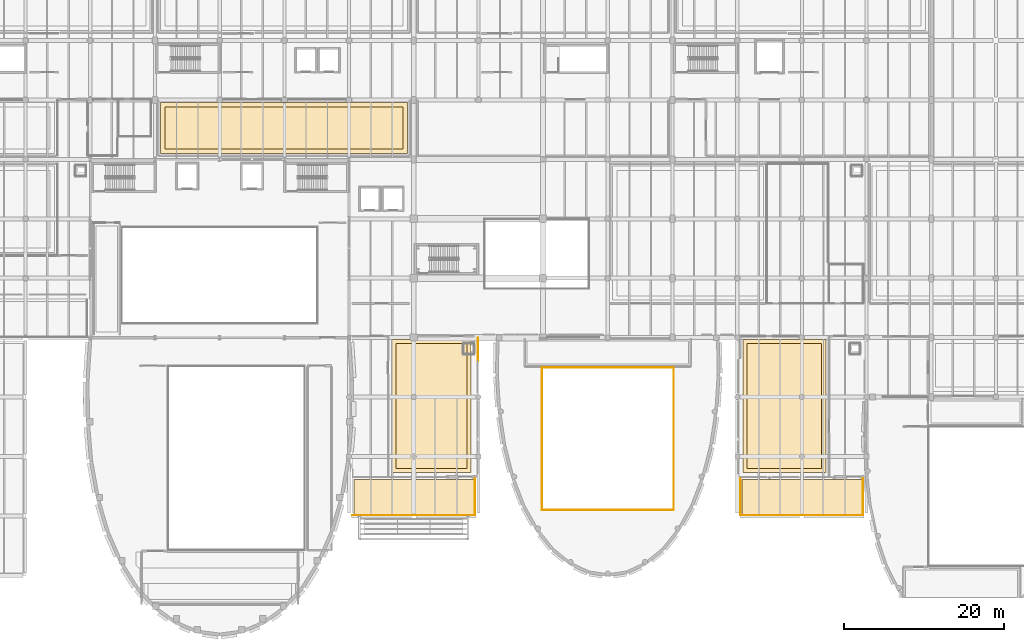
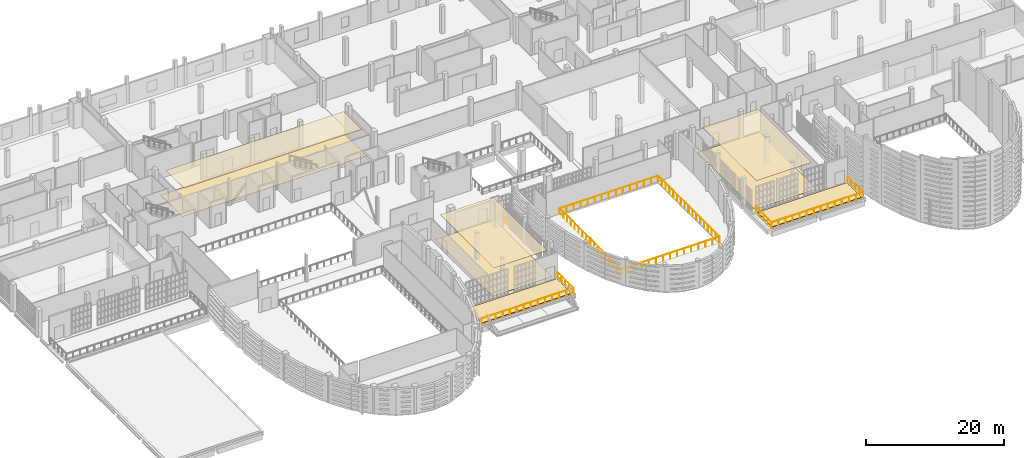
# One storey, part 99 of 104: 8 coverings, 8 railings.
"""IFC4 building model written with IfcOpenShell, lengths in metres."""

from ifc_helpers import new_model, si_unit, direction, frame, origin, origin_2d, place, context, subcontext, project, spatial, polyline, circle, outline, extrude, material, layer, layer_set, type_object, element, save


model = new_model("IFC4")

# Units and contexts
model_context = context("Model", 3, precision=1e-05, world=origin(), true_north=direction((0.0, 1.0)))
body_context = subcontext(model_context, "Body", "Model", "MODEL_VIEW")
ifc_project = project(units=[si_unit("LENGTHUNIT", "METRE"), si_unit("AREAUNIT", "SQUARE_METRE"), si_unit("VOLUMEUNIT", "CUBIC_METRE"), si_unit("PLANEANGLEUNIT", "RADIAN"), si_unit("MASSUNIT", "GRAM", prefix="KILO")], contexts=[model_context])

# Site, building, storey
site_placement = place(None, origin())
site = spatial("IfcSite", under=ifc_project, at=site_placement, CompositionType="ELEMENT")
building_placement = place(site_placement, origin())
building = spatial("IfcBuilding", under=site, at=building_placement, Name="Kaelora Sail Theatre", CompositionType="ELEMENT")
storey_placement = place(building_placement, frame((0.0, 0.0, 5.39990234375)))
storey = spatial("IfcBuildingStorey", under=building, at=storey_placement, Name="L01", CompositionType="ELEMENT", Elevation=5.39990234375)

# Coverings
ifc_material_1 = material(Name="Micro-perforated timber acoustic reflector", Category="wood")
ifc_layer_1 = layer(ifc_material_1, 0.050048828125)
ifc_layer_set_1 = layer_set([ifc_layer_1], Name="Micro-perforated timber acoustic reflector")
covering_type_1 = type_object("IfcCoveringType", Name="ARC-COV-CLG-AC-50", PredefinedType="CEILING", material=ifc_layer_set_1)
covering_1_placement = place(storey_placement, frame((0.0, 0.0, 4.489990234375)))
element("IfcCovering", 1, at=covering_1_placement, inside=storey, type_object=covering_type_1, Name="Acoustic ceiling L01-FOY-INTER1", PredefinedType="CEILING", context=body_context, shape_type="SweptSolid", body=[
    extrude(outline(polyline([(64.050048828125, 44.64990234375), (72.949951171875, 44.64990234375), (72.949951171875, 60.25), (64.050048828125, 60.25), (64.050048828125, 44.64990234375)])), origin(), (0.0, 0.0, 1.0), 0.050048828125),
])
covering_2_placement = place(storey_placement, frame((0.0, 0.0, 4.55517578125)))
element("IfcCovering", 2, at=covering_2_placement, inside=storey, type_object=covering_type_1, Name="Acoustic ceiling L01-FOY-INTER2", PredefinedType="CEILING", context=body_context, shape_type="SweptSolid", body=[
    extrude(outline(polyline([(108.050048828125, 44.64990234375), (117.35009765625, 44.64990234375), (117.35009765625, 60.25), (108.050048828125, 60.25), (108.050048828125, 44.64990234375)])), origin(), (0.0, 0.0, 1.0), 0.0498046875),
])
covering_3_placement = place(storey_placement, frame((0.0, 0.0, 4.489990234375)))
element("IfcCovering", 3, at=covering_3_placement, inside=storey, type_object=covering_type_1, Name="Acoustic ceiling L01-WIG-MAKEUP", PredefinedType="CEILING", context=body_context, shape_type="SweptSolid", body=[
    extrude(outline(polyline([(35.14990234375, 84.64990234375), (64.949951171875, 84.64990234375), (64.949951171875, 89.89990234375), (35.14990234375, 89.89990234375), (35.14990234375, 84.64990234375)])), origin(), (0.0, 0.0, 1.0), 0.050048828125),
])
ifc_material_2 = material(Name="Sprung West African iroko stage and dance floor", Category="timber")
ifc_layer_2 = layer(ifc_material_2, 0.028076171875)
ifc_layer_set_2 = layer_set([ifc_layer_2], Name="Sprung West African iroko stage and dance floor")
covering_type_2 = type_object("IfcCoveringType", Name="ARC-COV-FLR-OAK-28", PredefinedType="FLOORING", material=ifc_layer_set_2)
covering_4_placement = place(storey_placement, origin())
element("IfcCovering", 4, at=covering_4_placement, inside=storey, type_object=covering_type_2, Name="Architectural flooring L01-WIG-MAKEUP", PredefinedType="FLOORING", context=body_context, shape_type="SweptSolid", body=[
    extrude(outline(polyline([(34.60009765625, 84.10009765625), (65.5, 84.10009765625), (65.5, 90.449951171875), (34.60009765625, 90.449951171875), (34.60009765625, 84.10009765625)])), origin(), (0.0, 0.0, 1.0), 0.028076171875),
])
ifc_material_3 = material(Name="Polished basalt-terrazzo foyer flooring", Category="masonry")
ifc_layer_3 = layer(ifc_material_3, 0.031982421875)
ifc_layer_set_3 = layer_set([ifc_layer_3], Name="Polished basalt-terrazzo foyer flooring")
covering_type_3 = type_object("IfcCoveringType", Name="ARC-COV-FLR-TRZ-32", PredefinedType="FLOORING", material=ifc_layer_set_3)
covering_5_placement = place(storey_placement, origin())
element("IfcCovering", 5, at=covering_5_placement, inside=storey, type_object=covering_type_3, Name="Architectural flooring L01-FOY-INTER1", PredefinedType="FLOORING", context=body_context, shape_type="SweptSolid", body=[
    extrude(outline(polyline([(63.5, 44.10009765625), (73.5, 44.10009765625), (73.5, 60.800048828125), (63.5, 60.800048828125), (63.5, 44.10009765625)])), origin(), (0.0, 0.0, 1.0), 0.031982421875),
])
covering_6_placement = place(storey_placement, origin())
element("IfcCovering", 6, at=covering_6_placement, inside=storey, type_object=covering_type_3, Name="Architectural flooring L01-FOY-INTER2", PredefinedType="FLOORING", context=body_context, shape_type="SweptSolid", body=[
    extrude(outline(polyline([(107.5, 44.10009765625), (117.89990234375, 44.10009765625), (117.89990234375, 60.800048828125), (107.5, 60.800048828125), (107.5, 44.10009765625)])), origin(), (0.0, 0.0, 1.0), 0.031982421875),
])
ifc_material_4 = material(Name="Planted roof garden and green foliage terrace bed", Category="earth")
ifc_layer_4 = layer(ifc_material_4, 0.1201171875)
ifc_layer_set_4 = layer_set([ifc_layer_4], Name="Planted roof garden and green foliage terrace bed")
covering_type_4 = type_object("IfcCoveringType", Name="ARC-COV-GRN", PredefinedType="ROOFING", material=ifc_layer_set_4)
covering_7_placement = place(storey_placement, origin())
element("IfcCovering", 7, at=covering_7_placement, inside=storey, type_object=covering_type_4, Name="First Step Central Inter-Sail Planted Podium Terrace Planted Garden Bed", PredefinedType="ROOFING", context=body_context, shape_type="SweptSolid", body=[
    extrude(outline(polyline([(58.800048828125, 38.949951171875), (73.800048828125, 38.949951171875), (73.800048828125, 43.22998046875), (58.800048828125, 43.22998046875), (58.800048828125, 38.949951171875)])), origin(), (0.0, 0.0, 1.0), 0.1201171875),
])
covering_8_placement = place(storey_placement, origin())
element("IfcCovering", 8, at=covering_8_placement, inside=storey, type_object=covering_type_4, Name="First Step East Inter-Sail Planted Podium Terrace Planted Garden Bed", PredefinedType="ROOFING", context=body_context, shape_type="SweptSolid", body=[
    extrude(outline(polyline([(107.39990234375, 38.949951171875), (122.39990234375, 38.949951171875), (122.39990234375, 43.22998046875), (107.39990234375, 43.22998046875), (107.39990234375, 38.949951171875)])), origin(), (0.0, 0.0, 1.0), 0.1201171875),
])

# Railings
ifc_material_5 = material(Name="Acoustic bronze and laminated glass balcony balustrade", Category="glass")
railing_type_1 = type_object("IfcRailingType", Name="ARC-RL-BAL", PredefinedType="BALUSTRADE", material=ifc_material_5)
railing_1_placement = place(storey_placement, frame((82.340087890625, 48.300048828125, 0.0)))
element("IfcRailing", 9, at=railing_1_placement, inside=storey, type_object=railing_type_1, Name="Interior void balustrade AUD-S1 south", PredefinedType="BALUSTRADE", context=body_context, shape_type="SweptSolid", body=[
    extrude(circle(Radius=0.02392578125, at=origin_2d()), frame((0.0, 0.0, 1.076171875), z_axis=(0.0, -1.0, 0.0), x_axis=(1.0, 0.0, 0.0)), (0.0, 0.0, 1.0), 8.860107421875),
    extrude(circle(Radius=0.02392578125, at=origin_2d()), frame((0.0, -8.860107421875, 1.076171875), z_axis=(1.0, 0.0, 0.0), x_axis=(0.0, 1.0, 0.0)), (0.0, 0.0, 1.0), 16.52001953125),
    extrude(circle(Radius=0.02392578125, at=origin_2d()), frame((16.52001953125, -8.860107421875, 1.076171875), z_axis=(0.0, 1.0, 0.0), x_axis=(-1.0, 0.0, 0.0)), (0.0, 0.0, 1.0), 8.860107421875),
    extrude(circle(Radius=0.02099609375, at=origin_2d()), origin(), (0.0, 0.0, 1.0), 1.052001953125),
    extrude(circle(Radius=0.02099609375, at=origin_2d()), frame((0.0, -1.107421875, 0.0)), (0.0, 0.0, 1.0), 1.052001953125),
    extrude(circle(Radius=0.02099609375, at=origin_2d()), frame((0.0, -2.215087890625, 0.0)), (0.0, 0.0, 1.0), 1.052001953125),
    extrude(circle(Radius=0.02099609375, at=origin_2d()), frame((0.0, -3.322509765625, 0.0)), (0.0, 0.0, 1.0), 1.052001953125),
    extrude(circle(Radius=0.02099609375, at=origin_2d()), frame((0.0, -4.43017578125, 0.0)), (0.0, 0.0, 1.0), 1.052001953125),
    extrude(circle(Radius=0.02099609375, at=origin_2d()), frame((0.0, -5.53759765625, 0.0)), (0.0, 0.0, 1.0), 1.052001953125),
    extrude(circle(Radius=0.02099609375, at=origin_2d()), frame((0.0, -6.64501953125, 0.0)), (0.0, 0.0, 1.0), 1.052001953125),
    extrude(circle(Radius=0.02099609375, at=origin_2d()), frame((0.0, -7.752685546875, 0.0)), (0.0, 0.0, 1.0), 1.052001953125),
    extrude(circle(Radius=0.02099609375, at=origin_2d()), frame((0.0, -8.860107421875, 0.0)), (0.0, 0.0, 1.0), 1.052001953125),
    extrude(circle(Radius=0.02099609375, at=origin_2d()), frame((1.179931640625, -8.860107421875, 0.0)), (0.0, 0.0, 1.0), 1.052001953125),
    extrude(circle(Radius=0.02099609375, at=origin_2d()), frame((2.360107421875, -8.860107421875, 0.0)), (0.0, 0.0, 1.0), 1.052001953125),
    extrude(circle(Radius=0.02099609375, at=origin_2d()), frame((3.5400390625, -8.860107421875, 0.0)), (0.0, 0.0, 1.0), 1.052001953125),
    extrude(circle(Radius=0.02099609375, at=origin_2d()), frame((4.719970703125, -8.860107421875, 0.0)), (0.0, 0.0, 1.0), 1.052001953125),
    extrude(circle(Radius=0.02099609375, at=origin_2d()), frame((5.89990234375, -8.860107421875, 0.0)), (0.0, 0.0, 1.0), 1.052001953125),
    extrude(circle(Radius=0.02099609375, at=origin_2d()), frame((7.080078125, -8.860107421875, 0.0)), (0.0, 0.0, 1.0), 1.052001953125),
    extrude(circle(Radius=0.02099609375, at=origin_2d()), frame((8.260009765625, -8.860107421875, 0.0)), (0.0, 0.0, 1.0), 1.052001953125),
    extrude(circle(Radius=0.02099609375, at=origin_2d()), frame((9.43994140625, -8.860107421875, 0.0)), (0.0, 0.0, 1.0), 1.052001953125),
    extrude(circle(Radius=0.02099609375, at=origin_2d()), frame((10.6201171875, -8.860107421875, 0.0)), (0.0, 0.0, 1.0), 1.052001953125),
    extrude(circle(Radius=0.02099609375, at=origin_2d()), frame((11.800048828125, -8.860107421875, 0.0)), (0.0, 0.0, 1.0), 1.052001953125),
    extrude(circle(Radius=0.02099609375, at=origin_2d()), frame((12.97998046875, -8.860107421875, 0.0)), (0.0, 0.0, 1.0), 1.052001953125),
    extrude(circle(Radius=0.02099609375, at=origin_2d()), frame((14.159912109375, -8.860107421875, 0.0)), (0.0, 0.0, 1.0), 1.052001953125),
    extrude(circle(Radius=0.02099609375, at=origin_2d()), frame((15.340087890625, -8.860107421875, 0.0)), (0.0, 0.0, 1.0), 1.052001953125),
    extrude(circle(Radius=0.02099609375, at=origin_2d()), frame((16.52001953125, -8.860107421875, 0.0)), (0.0, 0.0, 1.0), 1.052001953125),
    extrude(circle(Radius=0.02099609375, at=origin_2d()), frame((16.52001953125, -7.752685546875, 0.0)), (0.0, 0.0, 1.0), 1.052001953125),
    extrude(circle(Radius=0.02099609375, at=origin_2d()), frame((16.52001953125, -6.64501953125, 0.0)), (0.0, 0.0, 1.0), 1.052001953125),
    extrude(circle(Radius=0.02099609375, at=origin_2d()), frame((16.52001953125, -5.53759765625, 0.0)), (0.0, 0.0, 1.0), 1.052001953125),
    extrude(circle(Radius=0.02099609375, at=origin_2d()), frame((16.52001953125, -4.43017578125, 0.0)), (0.0, 0.0, 1.0), 1.052001953125),
    extrude(circle(Radius=0.02099609375, at=origin_2d()), frame((16.52001953125, -3.322509765625, 0.0)), (0.0, 0.0, 1.0), 1.052001953125),
    extrude(circle(Radius=0.02099609375, at=origin_2d()), frame((16.52001953125, -2.215087890625, 0.0)), (0.0, 0.0, 1.0), 1.052001953125),
    extrude(circle(Radius=0.02099609375, at=origin_2d()), frame((16.52001953125, -1.107421875, 0.0)), (0.0, 0.0, 1.0), 1.052001953125),
    extrude(circle(Radius=0.02099609375, at=origin_2d()), frame((16.52001953125, 0.0, 0.0)), (0.0, 0.0, 1.0), 1.052001953125),
])
railing_2_placement = place(storey_placement, frame((98.860107421875, 48.39990234375, 0.0)))
element("IfcRailing", 10, at=railing_2_placement, inside=storey, type_object=railing_type_1, Name="Interior void balustrade AUD-S1 north", PredefinedType="BALUSTRADE", context=body_context, shape_type="SweptSolid", body=[
    extrude(circle(Radius=0.02392578125, at=origin_2d()), frame((0.0, 0.0, 1.076171875), z_axis=(0.0, 1.0, 0.0), x_axis=(-1.0, 0.0, 0.0)), (0.0, 0.0, 1.0), 8.860107421875),
    extrude(circle(Radius=0.02392578125, at=origin_2d()), frame((0.0, 8.860107421875, 1.076171875), z_axis=(-1.0, 0.0, 0.0), x_axis=(0.0, -1.0, 0.0)), (0.0, 0.0, 1.0), 16.52001953125),
    extrude(circle(Radius=0.02392578125, at=origin_2d()), frame((-16.52001953125, 8.860107421875, 1.076171875), z_axis=(0.0, -1.0, 0.0), x_axis=(1.0, 0.0, 0.0)), (0.0, 0.0, 1.0), 8.860107421875),
    extrude(circle(Radius=0.02099609375, at=origin_2d()), origin(), (0.0, 0.0, 1.0), 1.052001953125),
    extrude(circle(Radius=0.02099609375, at=origin_2d()), frame((0.0, 1.107421875, 0.0)), (0.0, 0.0, 1.0), 1.052001953125),
    extrude(circle(Radius=0.02099609375, at=origin_2d()), frame((0.0, 2.215087890625, 0.0)), (0.0, 0.0, 1.0), 1.052001953125),
    extrude(circle(Radius=0.02099609375, at=origin_2d()), frame((0.0, 3.322509765625, 0.0)), (0.0, 0.0, 1.0), 1.052001953125),
    extrude(circle(Radius=0.02099609375, at=origin_2d()), frame((0.0, 4.43017578125, 0.0)), (0.0, 0.0, 1.0), 1.052001953125),
    extrude(circle(Radius=0.02099609375, at=origin_2d()), frame((0.0, 5.53759765625, 0.0)), (0.0, 0.0, 1.0), 1.052001953125),
    extrude(circle(Radius=0.02099609375, at=origin_2d()), frame((0.0, 6.64501953125, 0.0)), (0.0, 0.0, 1.0), 1.052001953125),
    extrude(circle(Radius=0.02099609375, at=origin_2d()), frame((0.0, 7.752685546875, 0.0)), (0.0, 0.0, 1.0), 1.052001953125),
    extrude(circle(Radius=0.02099609375, at=origin_2d()), frame((0.0, 8.860107421875, 0.0)), (0.0, 0.0, 1.0), 1.052001953125),
    extrude(circle(Radius=0.02099609375, at=origin_2d()), frame((-1.179931640625, 8.860107421875, 0.0)), (0.0, 0.0, 1.0), 1.052001953125),
    extrude(circle(Radius=0.02099609375, at=origin_2d()), frame((-2.360107421875, 8.860107421875, 0.0)), (0.0, 0.0, 1.0), 1.052001953125),
    extrude(circle(Radius=0.02099609375, at=origin_2d()), frame((-3.5400390625, 8.860107421875, 0.0)), (0.0, 0.0, 1.0), 1.052001953125),
    extrude(circle(Radius=0.02099609375, at=origin_2d()), frame((-4.719970703125, 8.860107421875, 0.0)), (0.0, 0.0, 1.0), 1.052001953125),
    extrude(circle(Radius=0.02099609375, at=origin_2d()), frame((-5.89990234375, 8.860107421875, 0.0)), (0.0, 0.0, 1.0), 1.052001953125),
    extrude(circle(Radius=0.02099609375, at=origin_2d()), frame((-7.080078125, 8.860107421875, 0.0)), (0.0, 0.0, 1.0), 1.052001953125),
    extrude(circle(Radius=0.02099609375, at=origin_2d()), frame((-8.260009765625, 8.860107421875, 0.0)), (0.0, 0.0, 1.0), 1.052001953125),
    extrude(circle(Radius=0.02099609375, at=origin_2d()), frame((-9.43994140625, 8.860107421875, 0.0)), (0.0, 0.0, 1.0), 1.052001953125),
    extrude(circle(Radius=0.02099609375, at=origin_2d()), frame((-10.6201171875, 8.860107421875, 0.0)), (0.0, 0.0, 1.0), 1.052001953125),
    extrude(circle(Radius=0.02099609375, at=origin_2d()), frame((-11.800048828125, 8.860107421875, 0.0)), (0.0, 0.0, 1.0), 1.052001953125),
    extrude(circle(Radius=0.02099609375, at=origin_2d()), frame((-12.97998046875, 8.860107421875, 0.0)), (0.0, 0.0, 1.0), 1.052001953125),
    extrude(circle(Radius=0.02099609375, at=origin_2d()), frame((-14.159912109375, 8.860107421875, 0.0)), (0.0, 0.0, 1.0), 1.052001953125),
    extrude(circle(Radius=0.02099609375, at=origin_2d()), frame((-15.340087890625, 8.860107421875, 0.0)), (0.0, 0.0, 1.0), 1.052001953125),
    extrude(circle(Radius=0.02099609375, at=origin_2d()), frame((-16.52001953125, 8.860107421875, 0.0)), (0.0, 0.0, 1.0), 1.052001953125),
    extrude(circle(Radius=0.02099609375, at=origin_2d()), frame((-16.52001953125, 7.752685546875, 0.0)), (0.0, 0.0, 1.0), 1.052001953125),
    extrude(circle(Radius=0.02099609375, at=origin_2d()), frame((-16.52001953125, 6.64501953125, 0.0)), (0.0, 0.0, 1.0), 1.052001953125),
    extrude(circle(Radius=0.02099609375, at=origin_2d()), frame((-16.52001953125, 5.53759765625, 0.0)), (0.0, 0.0, 1.0), 1.052001953125),
    extrude(circle(Radius=0.02099609375, at=origin_2d()), frame((-16.52001953125, 4.43017578125, 0.0)), (0.0, 0.0, 1.0), 1.052001953125),
    extrude(circle(Radius=0.02099609375, at=origin_2d()), frame((-16.52001953125, 3.322509765625, 0.0)), (0.0, 0.0, 1.0), 1.052001953125),
    extrude(circle(Radius=0.02099609375, at=origin_2d()), frame((-16.52001953125, 2.215087890625, 0.0)), (0.0, 0.0, 1.0), 1.052001953125),
    extrude(circle(Radius=0.02099609375, at=origin_2d()), frame((-16.52001953125, 1.107421875, 0.0)), (0.0, 0.0, 1.0), 1.052001953125),
    extrude(circle(Radius=0.02099609375, at=origin_2d()), frame((-16.52001953125, 0.0, 0.0)), (0.0, 0.0, 1.0), 1.052001953125),
])
ifc_material_6 = material(Name="Painted steel and laminated safety glass guard", Category="steel")
railing_type_2 = type_object("IfcRailingType", Name="ARC-RL-GRD", PredefinedType="GUARDRAIL", material=ifc_material_6)
railing_3_placement = place(storey_placement, frame((74.3349609375, 58.050048828125, 0.0)))
element("IfcRailing", 11, at=railing_3_placement, inside=storey, type_object=railing_type_2, Name="Interior deck-edge closure guard GRD-DECK-FI1-NE", PredefinedType="GUARDRAIL", context=body_context, shape_type="SweptSolid", body=[
    extrude(circle(Radius=0.02392578125, at=origin_2d()), frame((0.0, 0.0, 1.076171875), z_axis=(0.0, 1.0, 0.0), x_axis=(-1.0, 0.0, 0.0)), (0.0, 0.0, 1.0), 2.929931640625),
    extrude(circle(Radius=0.02099609375, at=origin_2d()), origin(), (0.0, 0.0, 1.0), 1.052001953125),
    extrude(circle(Radius=0.02099609375, at=origin_2d()), frame((0.0, 0.9765625, 0.0)), (0.0, 0.0, 1.0), 1.052001953125),
    extrude(circle(Radius=0.02099609375, at=origin_2d()), frame((0.0, 1.953369140625, 0.0)), (0.0, 0.0, 1.0), 1.052001953125),
    extrude(circle(Radius=0.02099609375, at=origin_2d()), frame((0.0, 2.929931640625, 0.0)), (0.0, 0.0, 1.0), 1.052001953125),
])
ifc_material_7 = material(Name="Stainless steel 316L and laminated glass balustrade", Category="steel")
railing_type_3 = type_object("IfcRailingType", Name="ARC-RL-TER", PredefinedType="GUARDRAIL", material=ifc_material_7)
railing_4_placement = place(storey_placement, frame((58.610107421875, 38.780029296875, 0.0)))
element("IfcRailing", 12, at=railing_4_placement, inside=storey, type_object=railing_type_3, Name="First Step Central Inter-Sail Planted Podium Terrace Balustrade S", PredefinedType="GUARDRAIL", context=body_context, shape_type="SweptSolid", body=[
    extrude(circle(Radius=0.02392578125, at=origin_2d()), frame((0.0, 0.0, 1.076171875), z_axis=(1.0, 0.0, 0.0), x_axis=(0.0, 1.0, 0.0)), (0.0, 0.0, 1.0), 15.3798828125),
    extrude(circle(Radius=0.02099609375, at=origin_2d()), origin(), (0.0, 0.0, 1.0), 1.052001953125),
    extrude(circle(Radius=0.02099609375, at=origin_2d()), frame((1.18310546875, 0.0, 0.0)), (0.0, 0.0, 1.0), 1.052001953125),
    extrude(circle(Radius=0.02099609375, at=origin_2d()), frame((2.3662109375, 0.0, 0.0)), (0.0, 0.0, 1.0), 1.052001953125),
    extrude(circle(Radius=0.02099609375, at=origin_2d()), frame((3.54931640625, 0.0, 0.0)), (0.0, 0.0, 1.0), 1.052001953125),
    extrude(circle(Radius=0.02099609375, at=origin_2d()), frame((4.732177734375, 0.0, 0.0)), (0.0, 0.0, 1.0), 1.052001953125),
    extrude(circle(Radius=0.02099609375, at=origin_2d()), frame((5.915283203125, 0.0, 0.0)), (0.0, 0.0, 1.0), 1.052001953125),
    extrude(circle(Radius=0.02099609375, at=origin_2d()), frame((7.098388671875, 0.0, 0.0)), (0.0, 0.0, 1.0), 1.052001953125),
    extrude(circle(Radius=0.02099609375, at=origin_2d()), frame((8.281494140625, 0.0, 0.0)), (0.0, 0.0, 1.0), 1.052001953125),
    extrude(circle(Radius=0.02099609375, at=origin_2d()), frame((9.464599609375, 0.0, 0.0)), (0.0, 0.0, 1.0), 1.052001953125),
    extrude(circle(Radius=0.02099609375, at=origin_2d()), frame((10.647705078125, 0.0, 0.0)), (0.0, 0.0, 1.0), 1.052001953125),
    extrude(circle(Radius=0.02099609375, at=origin_2d()), frame((11.83056640625, 0.0, 0.0)), (0.0, 0.0, 1.0), 1.052001953125),
    extrude(circle(Radius=0.02099609375, at=origin_2d()), frame((13.013671875, 0.0, 0.0)), (0.0, 0.0, 1.0), 1.052001953125),
    extrude(circle(Radius=0.02099609375, at=origin_2d()), frame((14.19677734375, 0.0, 0.0)), (0.0, 0.0, 1.0), 1.052001953125),
    extrude(circle(Radius=0.02099609375, at=origin_2d()), frame((15.3798828125, 0.0, 0.0)), (0.0, 0.0, 1.0), 1.052001953125),
])
railing_5_placement = place(storey_placement, frame((73.969970703125, 38.780029296875, 0.0)))
element("IfcRailing", 13, at=railing_5_placement, inside=storey, type_object=railing_type_3, Name="First Step Central Inter-Sail Planted Podium Terrace Balustrade E", PredefinedType="GUARDRAIL", context=body_context, shape_type="SweptSolid", body=[
    extrude(circle(Radius=0.02392578125, at=origin_2d()), frame((0.0, 0.0, 1.076171875), z_axis=(0.0, 1.0, 0.0), x_axis=(-1.0, 0.0, 0.0)), (0.0, 0.0, 1.0), 4.619873046875),
    extrude(circle(Radius=0.02099609375, at=origin_2d()), origin(), (0.0, 0.0, 1.0), 1.052001953125),
    extrude(circle(Radius=0.02099609375, at=origin_2d()), frame((0.0, 1.155029296875, 0.0)), (0.0, 0.0, 1.0), 1.052001953125),
    extrude(circle(Radius=0.02099609375, at=origin_2d()), frame((0.0, 2.31005859375, 0.0)), (0.0, 0.0, 1.0), 1.052001953125),
    extrude(circle(Radius=0.02099609375, at=origin_2d()), frame((0.0, 3.46484375, 0.0)), (0.0, 0.0, 1.0), 1.052001953125),
    extrude(circle(Radius=0.02099609375, at=origin_2d()), frame((0.0, 4.619873046875, 0.0)), (0.0, 0.0, 1.0), 1.052001953125),
])
railing_6_placement = place(storey_placement, frame((107.2099609375, 38.780029296875, 0.0)))
element("IfcRailing", 14, at=railing_6_placement, inside=storey, type_object=railing_type_3, Name="First Step East Inter-Sail Planted Podium Terrace Balustrade S", PredefinedType="GUARDRAIL", context=body_context, shape_type="SweptSolid", body=[
    extrude(circle(Radius=0.02392578125, at=origin_2d()), frame((0.0, 0.0, 1.076171875), z_axis=(1.0, 0.0, 0.0), x_axis=(0.0, 1.0, 0.0)), (0.0, 0.0, 1.0), 15.380126953125),
    extrude(circle(Radius=0.02099609375, at=origin_2d()), origin(), (0.0, 0.0, 1.0), 1.052001953125),
    extrude(circle(Radius=0.02099609375, at=origin_2d()), frame((1.18310546875, 0.0, 0.0)), (0.0, 0.0, 1.0), 1.052001953125),
    extrude(circle(Radius=0.02099609375, at=origin_2d()), frame((2.3662109375, 0.0, 0.0)), (0.0, 0.0, 1.0), 1.052001953125),
    extrude(circle(Radius=0.02099609375, at=origin_2d()), frame((3.54931640625, 0.0, 0.0)), (0.0, 0.0, 1.0), 1.052001953125),
    extrude(circle(Radius=0.02099609375, at=origin_2d()), frame((4.732421875, 0.0, 0.0)), (0.0, 0.0, 1.0), 1.052001953125),
    extrude(circle(Radius=0.02099609375, at=origin_2d()), frame((5.91552734375, 0.0, 0.0)), (0.0, 0.0, 1.0), 1.052001953125),
    extrude(circle(Radius=0.02099609375, at=origin_2d()), frame((7.0986328125, 0.0, 0.0)), (0.0, 0.0, 1.0), 1.052001953125),
    extrude(circle(Radius=0.02099609375, at=origin_2d()), frame((8.281494140625, 0.0, 0.0)), (0.0, 0.0, 1.0), 1.052001953125),
    extrude(circle(Radius=0.02099609375, at=origin_2d()), frame((9.464599609375, 0.0, 0.0)), (0.0, 0.0, 1.0), 1.052001953125),
    extrude(circle(Radius=0.02099609375, at=origin_2d()), frame((10.647705078125, 0.0, 0.0)), (0.0, 0.0, 1.0), 1.052001953125),
    extrude(circle(Radius=0.02099609375, at=origin_2d()), frame((11.830810546875, 0.0, 0.0)), (0.0, 0.0, 1.0), 1.052001953125),
    extrude(circle(Radius=0.02099609375, at=origin_2d()), frame((13.013916015625, 0.0, 0.0)), (0.0, 0.0, 1.0), 1.052001953125),
    extrude(circle(Radius=0.02099609375, at=origin_2d()), frame((14.197021484375, 0.0, 0.0)), (0.0, 0.0, 1.0), 1.052001953125),
    extrude(circle(Radius=0.02099609375, at=origin_2d()), frame((15.380126953125, 0.0, 0.0)), (0.0, 0.0, 1.0), 1.052001953125),
])
for number, where, name in (
    (15, (107.22998046875, 38.780029296875, 0.0), "First Step East Inter-Sail Planted Podium Terrace Balustrade W"),
    (16, (122.570068359375, 38.780029296875, 0.0), "First Step East Inter-Sail Planted Podium Terrace Balustrade E"),
):
    element("IfcRailing", number, at=place(storey_placement, frame(where)), inside=storey, type_object=railing_type_3, Name=name, PredefinedType="GUARDRAIL", context=body_context, shape_type="SweptSolid", body=[
        extrude(circle(Radius=0.02392578125, at=origin_2d()), frame((0.0, 0.0, 1.076171875), z_axis=(0.0, 1.0, 0.0), x_axis=(-1.0, 0.0, 0.0)), (0.0, 0.0, 1.0), 4.619873046875),
        extrude(circle(Radius=0.02099609375, at=origin_2d()), origin(), (0.0, 0.0, 1.0), 1.052001953125),
        extrude(circle(Radius=0.02099609375, at=origin_2d()), frame((0.0, 1.155029296875, 0.0)), (0.0, 0.0, 1.0), 1.052001953125),
        extrude(circle(Radius=0.02099609375, at=origin_2d()), frame((0.0, 2.31005859375, 0.0)), (0.0, 0.0, 1.0), 1.052001953125),
        extrude(circle(Radius=0.02099609375, at=origin_2d()), frame((0.0, 3.46484375, 0.0)), (0.0, 0.0, 1.0), 1.052001953125),
        extrude(circle(Radius=0.02099609375, at=origin_2d()), frame((0.0, 4.619873046875, 0.0)), (0.0, 0.0, 1.0), 1.052001953125),
    ])

save(model, "model.ifc")
